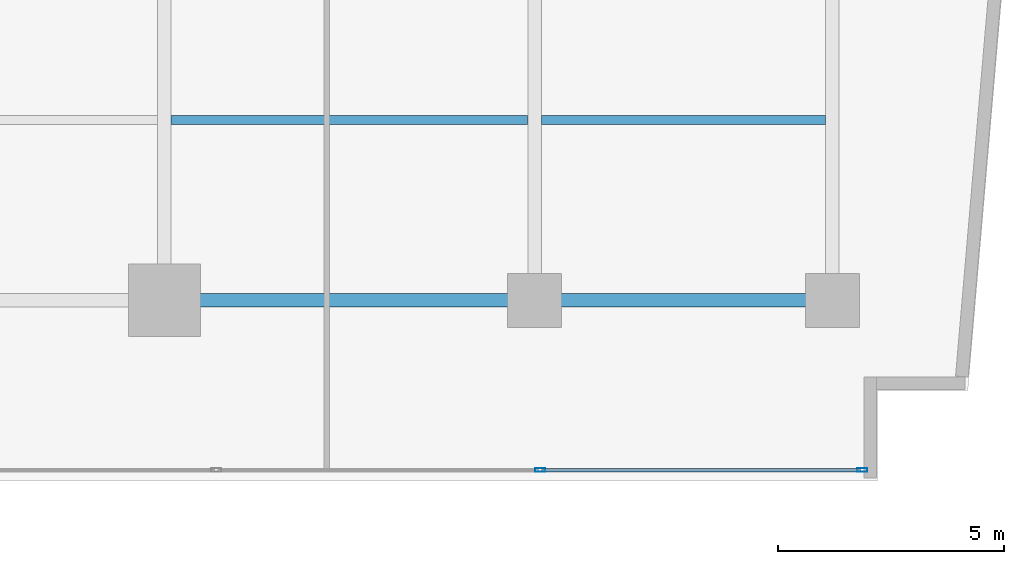
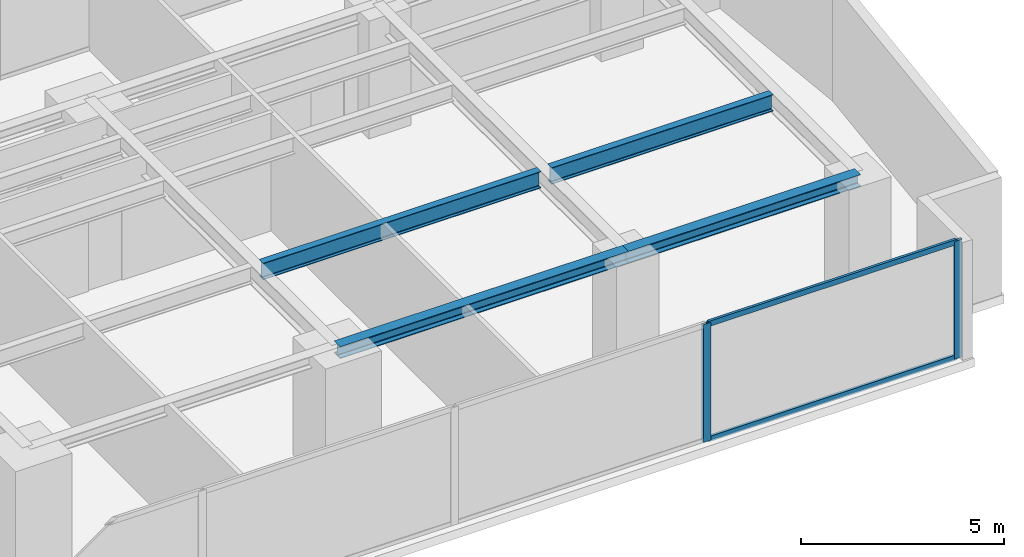
# One storey, part 11 of 26: 4 beams, 4 members, 1 element without a shape of its own.
"""IFC4 building model written with IfcOpenShell, lengths in metres."""

from ifc_helpers import new_model, si_unit, direction, frame, origin, origin_with_axes, origin_2d, place, context, subcontext, project, spatial, hollow_rectangle, i_section, extrude, source, transform, mapped, material, layer, layer_set, material_profile, profile_set, type_object, element, aggregate, save


model = new_model("IFC4")

# Units and contexts
model_context = context("Model", 3, precision=1e-05, world=origin(), true_north=direction((0.0, 1.0)))
body_context = subcontext(model_context, "Body", "Model", "MODEL_VIEW")
ifc_project = project(units=[si_unit("LENGTHUNIT", "METRE"), si_unit("AREAUNIT", "SQUARE_METRE"), si_unit("VOLUMEUNIT", "CUBIC_METRE"), si_unit("PLANEANGLEUNIT", "RADIAN"), si_unit("MASSUNIT", "GRAM", prefix="KILO")], contexts=[model_context])

# Site, building, storey
site_placement = place(None, origin())
site = spatial("IfcSite", under=ifc_project, at=site_placement, CompositionType="ELEMENT")
building_placement = place(site_placement, origin())
building = spatial("IfcBuilding", under=site, at=building_placement, Name="Kolvaren Waterfront Exchange", CompositionType="ELEMENT")
storey_placement = place(building_placement, frame((0.0, 0.0, 48.60009765625)))
storey = spatial("IfcBuildingStorey", under=building, at=storey_placement, Name="L12", CompositionType="ELEMENT", Elevation=48.60009765625)

# Beams
ifc_material_1 = material(Name="Steel S355", Category="steel")
ifc_material_profile_1 = material_profile(ifc_material_1, i_section(OverallWidth=0.300048828125, OverallDepth=0.360107421875, WebThickness=0.012451171875, FlangeThickness=0.0224609375, FilletRadius=0.027099609375, at=origin_2d()), Name="HEB360")
ifc_profile_set_1 = profile_set([ifc_material_profile_1], Name="Steel S355")
beam_type_1 = type_object("IfcBeamType", Name="STR-BM-HEB360", PredefinedType="SPANDREL", material=ifc_profile_set_1)
beam_1_placement = place(storey_placement, frame((45.60009765625, 5.199951171875, 3.35986328125), z_axis=(1.0, 0.0, 0.0), x_axis=(0.0, 1.0, 0.0)))
element("IfcBeam", 1, at=beam_1_placement, inside=storey, type_object=beam_type_1, Name="L12 east-arm spandrel S4", PredefinedType="SPANDREL", context=body_context, shape_type="SweptSolid", body=[
    extrude(i_section(OverallWidth=0.300048828125, OverallDepth=0.360107421875, WebThickness=0.012451171875, FlangeThickness=0.0224609375, FilletRadius=0.027099609375, at=origin_2d()), origin(), (0.0, 0.0, 1.0), 8.199951171875),
])
beam_2_placement = place(storey_placement, frame((53.800048828125, 5.199951171875, 3.35986328125), z_axis=(1.0, 0.0, 0.0), x_axis=(0.0, 1.0, 0.0)))
element("IfcBeam", 2, at=beam_2_placement, inside=storey, type_object=beam_type_1, Name="L12 east-arm spandrel S5", PredefinedType="SPANDREL", context=body_context, shape_type="SweptSolid", body=[
    extrude(i_section(OverallWidth=0.300048828125, OverallDepth=0.360107421875, WebThickness=0.012451171875, FlangeThickness=0.0224609375, FilletRadius=0.027099609375, at=origin_2d()), origin(), (0.0, 0.0, 1.0), 6.599853515625),
])
ifc_material_profile_2 = material_profile(ifc_material_1, i_section(OverallWidth=0.199951171875, OverallDepth=0.5, WebThickness=0.01025390625, FlangeThickness=0.01611328125, FilletRadius=0.02099609375, at=origin_2d()), Name="IPE500")
ifc_profile_set_2 = profile_set([ifc_material_profile_2], Name="Steel S355")
beam_type_2 = type_object("IfcBeamType", Name="STR-BM-IPE500", PredefinedType="JOIST", material=ifc_profile_set_2)
beam_3_placement = place(storey_placement, frame((45.751953125, 9.199951171875, 3.289794921875), z_axis=(1.0, 0.0, 0.0), x_axis=(0.0, 1.0, 0.0)))
element("IfcBeam", 3, at=beam_3_placement, inside=storey, type_object=beam_type_2, Name="L12 east-arm composite joist 4B", PredefinedType="JOIST", context=body_context, shape_type="SweptSolid", body=[
    extrude(i_section(OverallWidth=0.199951171875, OverallDepth=0.5, WebThickness=0.01025390625, FlangeThickness=0.01611328125, FilletRadius=0.02099609375, at=origin_2d()), origin(), (0.0, 0.0, 1.0), 7.89599609375),
])
beam_4_placement = place(storey_placement, frame((53.951904296875, 9.199951171875, 3.289794921875), z_axis=(1.0, 0.0, 0.0), x_axis=(0.0, 1.0, 0.0)))
element("IfcBeam", 4, at=beam_4_placement, inside=storey, type_object=beam_type_2, Name="L12 east-arm composite joist 5B", PredefinedType="JOIST", context=body_context, shape_type="SweptSolid", body=[
    extrude(i_section(OverallWidth=0.199951171875, OverallDepth=0.5, WebThickness=0.01025390625, FlangeThickness=0.01611328125, FilletRadius=0.02099609375, at=origin_2d()), origin(), (0.0, 0.0, 1.0), 6.296142578125),
])

# Curtain wall, members
ifc_material_2 = material(Name="Anodised bronze aluminium 6063-T6", Category="aluminium")
ifc_layer = layer(ifc_material_2, 0.219970703125, Name="Anodised bronze aluminium 6063-T6")
ifc_layer_set = layer_set([ifc_layer], Name="Anodised bronze aluminium 6063-T6")
curtain_wall_type = type_object("IfcCurtainWallType", Name="ARC-CW-SYS1", PredefinedType="USERDEFINED", material=ifc_layer_set)
curtain_wall_placement = place(storey_placement, origin())
curtain_wall = element("IfcCurtainWall", 5, at=curtain_wall_placement, inside=storey, type_object=curtain_wall_type, Name="L12 stick curtain wall CW1 (CW-L12-S)", ObjectType="STICK CURTAIN WALL", PredefinedType="USERDEFINED")
ifc_material_3 = material(Name="Anodised aluminium 6063-T6", Category="aluminium")
ifc_material_profile_3 = material_profile(ifc_material_3, hollow_rectangle(XDim=0.080078125, YDim=0.219970703125, WallThickness=0.0048828125, at=origin_2d()), Name="ALU-MUL-220x80x5")
ifc_profile_set_3 = profile_set([ifc_material_profile_3], Name="Anodised aluminium 6063-T6")
member_type_1 = type_object("IfcMemberType", Name="ARC-CWM-220", PredefinedType="MULLION", material=ifc_profile_set_3)
shared_shape_1 = source(origin_with_axes(), body_context, "Body", "SweptSolid", [
    extrude(hollow_rectangle(XDim=0.080078125, YDim=0.219970703125, WallThickness=0.0048828125, at=origin_2d()), origin(), (0.0, 0.0, 1.0), 3.539794921875),
])
member_1_placement = place(storey_placement, frame((53.925048828125, 1.43994140625, 0.0), z_axis=(0.0, 0.0, 1.0), x_axis=(0.0, 1.0, 0.0)))
member_1 = element("IfcMember", 6, at=member_1_placement, type_object=member_type_1, Name="CW1 mullion 8", PredefinedType="MULLION", context=body_context, shape_type="MappedRepresentation", body=[
    mapped(shared_shape_1, transform((0.0, 0.0, 0.0), x_axis=(1.0, 0.0, 0.0), y_axis=(0.0, 1.0, 0.0), z_axis=(0.0, 0.0, 1.0), scale=1.0)),
])
member_2_placement = place(storey_placement, frame((61.06005859375, 1.43994140625, 0.0), z_axis=(0.0, 0.0, 1.0), x_axis=(0.0, 1.0, 0.0)))
member_2 = element("IfcMember", 7, at=member_2_placement, type_object=member_type_1, Name="CW1 mullion 9", PredefinedType="MULLION", context=body_context, shape_type="MappedRepresentation", body=[
    mapped(shared_shape_1, transform((0.0, 0.0, 0.0), x_axis=(1.0, 0.0, 0.0), y_axis=(0.0, 1.0, 0.0), z_axis=(0.0, 0.0, 1.0), scale=1.0)),
])
ifc_material_profile_4 = material_profile(ifc_material_3, hollow_rectangle(XDim=0.074951171875, YDim=0.159912109375, WallThickness=0.00439453125, at=origin_2d()), Name="ALU-TRN-160x75x4.5")
ifc_profile_set_4 = profile_set([ifc_material_profile_4], Name="Anodised aluminium 6063-T6")
member_type_2 = type_object("IfcMemberType", Name="ARC-CWT-160", PredefinedType="USERDEFINED", material=ifc_profile_set_4)
shared_shape_2 = source(origin_with_axes(), body_context, "Body", "SweptSolid", [
    extrude(hollow_rectangle(XDim=0.074951171875, YDim=0.159912109375, WallThickness=0.00439453125, at=origin_2d()), origin(), (0.0, 0.0, 1.0), 7.054931640625),
])
member_3_placement = place(storey_placement, frame((53.965087890625, 1.43994140625, 0.037353515625), z_axis=(1.0, 0.0, 0.0), x_axis=(0.0, 1.0, 0.0)))
member_3 = element("IfcMember", 8, at=member_3_placement, type_object=member_type_2, Name="CW1 transom 8.1", ObjectType="TRANSOM", PredefinedType="USERDEFINED", context=body_context, shape_type="MappedRepresentation", body=[
    mapped(shared_shape_2, transform((0.0, 0.0, 0.0), x_axis=(1.0, 0.0, 0.0), y_axis=(0.0, 1.0, 0.0), z_axis=(0.0, 0.0, 1.0), scale=1.0)),
])
member_4_placement = place(storey_placement, frame((53.965087890625, 1.43994140625, 3.50244140625), z_axis=(1.0, 0.0, 0.0), x_axis=(0.0, 1.0, 0.0)))
member_4 = element("IfcMember", 9, at=member_4_placement, type_object=member_type_2, Name="CW1 transom 8.2", ObjectType="TRANSOM", PredefinedType="USERDEFINED", context=body_context, shape_type="MappedRepresentation", body=[
    mapped(shared_shape_2, transform((0.0, 0.0, 0.0), x_axis=(1.0, 0.0, 0.0), y_axis=(0.0, 1.0, 0.0), z_axis=(0.0, 0.0, 1.0), scale=1.0)),
])
aggregate(curtain_wall, [member_1, member_2, member_3, member_4])

save(model, "model.ifc")
